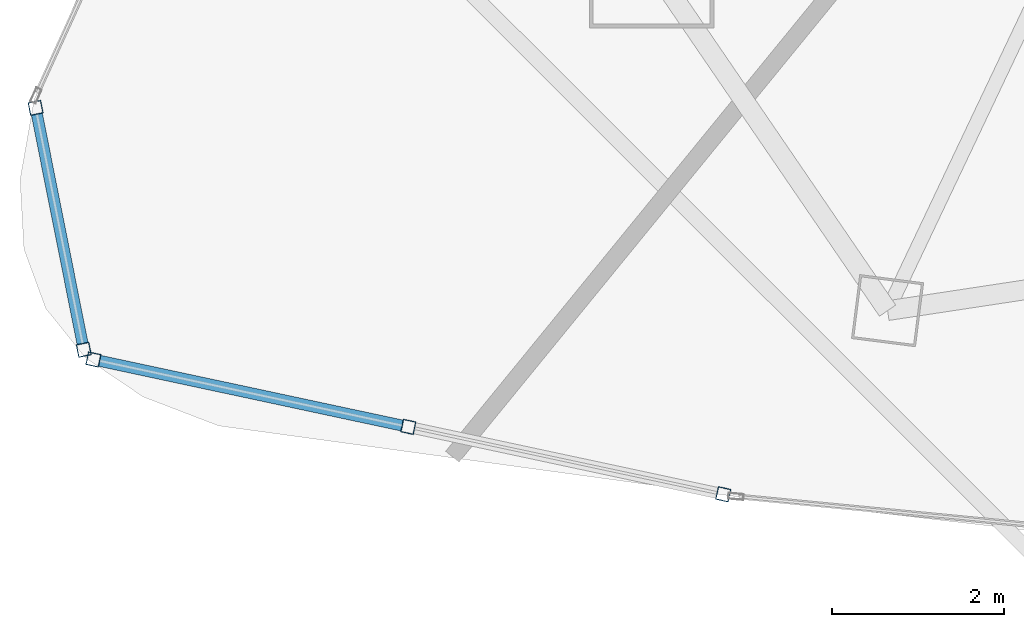
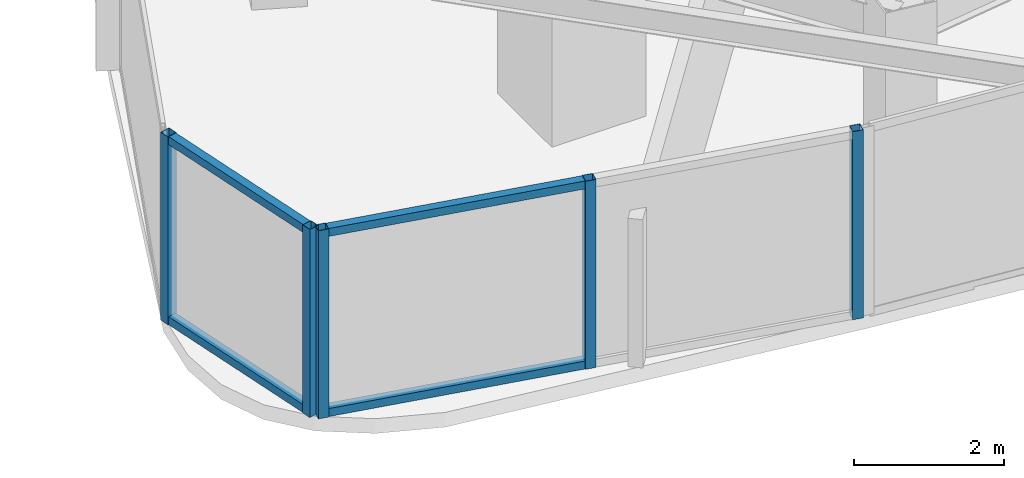
# One storey, part 2 of 33: 9 members, 2 elements without a shape of their own.
"""IFC4 building model written with IfcOpenShell, lengths in metres."""

from ifc_helpers import new_model, si_unit, direction, frame, origin, origin_2d, place, context, subcontext, project, spatial, hollow_rectangle, extrude, material, layer, layer_set, material_profile, profile_set, type_object, element, aggregate, save


model = new_model("IFC4")

# Units and contexts
model_context = context("Model", 3, precision=1e-05, world=origin(), true_north=direction((0.0, 1.0)))
body_context = subcontext(model_context, "Body", "Model", "MODEL_VIEW")
ifc_project = project(units=[si_unit("LENGTHUNIT", "METRE"), si_unit("AREAUNIT", "SQUARE_METRE"), si_unit("VOLUMEUNIT", "CUBIC_METRE"), si_unit("PLANEANGLEUNIT", "RADIAN"), si_unit("MASSUNIT", "GRAM", prefix="KILO")], contexts=[model_context])

# Site, building, storey
site_placement = place(None, origin())
site = spatial("IfcSite", under=ifc_project, at=site_placement, CompositionType="ELEMENT")
building_placement = place(site_placement, origin())
building = spatial("IfcBuilding", under=site, at=building_placement, Name="Orvanel Arch Residences", CompositionType="ELEMENT")
storey_placement = place(building_placement, frame((0.0, 0.0, 119.89990234375)))
storey = spatial("IfcBuildingStorey", under=building, at=storey_placement, Name="L33", CompositionType="ELEMENT", Elevation=119.89990234375)

# Curtain wall, members
ifc_material = material(Name="Bronze-anodised aluminium AA6063-T6", Category="aluminium")
ifc_layer = layer(ifc_material, 0.18994140625)
ifc_layer_set = layer_set([ifc_layer], Name="Bronze-anodised aluminium AA6063-T6")
curtain_wall_type = type_object("IfcCurtainWallType", Name="CW5-CRN-SYS", PredefinedType="NOTDEFINED", material=ifc_layer_set)
curtain_wall_1_placement = place(storey_placement, origin())
curtain_wall_1 = element("IfcCurtainWall", 1, at=curtain_wall_1_placement, inside=storey, type_object=curtain_wall_type, Name="L33 CW5-CRN-SYS Unitised Curtain Wall", PredefinedType="NOTDEFINED")
ifc_material_profile_1 = material_profile(ifc_material, hollow_rectangle(XDim=0.14990234375, YDim=0.14990234375, WallThickness=0.0048828125, at=origin_2d()), Name="ALU150x150x5")
ifc_profile_set_1 = profile_set([ifc_material_profile_1], Name="Bronze-anodised aluminium AA6063-T6")
member_type_1 = type_object("IfcMemberType", Name="MUL-150x150", PredefinedType="MULLION", material=ifc_profile_set_1)
member_1_placement = place(storey_placement, frame((7.03857421875, 8.695556640625, 0.0), z_axis=(0.0, 0.0, 1.0), x_axis=(0.98074610394, 0.195287172151, 0.0)))
member_1 = element("IfcMember", 2, at=member_1_placement, type_object=member_type_1, Name="CW-S5 mullion 1", PredefinedType="MULLION", context=body_context, shape_type="SweptSolid", body=[
    extrude(hollow_rectangle(XDim=0.14990234375, YDim=0.14990234375, WallThickness=0.0048828125, at=origin_2d()), origin(), (0.0, 0.0, 1.0), 3.06005859375),
])
member_2_placement = place(storey_placement, frame((7.598388671875, 5.884521484375, 0.0), z_axis=(0.0, 0.0, 1.0), x_axis=(0.98074610394, 0.195287172151, 0.0)))
member_2 = element("IfcMember", 3, at=member_2_placement, type_object=member_type_1, Name="CW-S5 mullion 2", PredefinedType="MULLION", context=body_context, shape_type="SweptSolid", body=[
    extrude(hollow_rectangle(XDim=0.14990234375, YDim=0.14990234375, WallThickness=0.0048828125, at=origin_2d()), origin(), (0.0, 0.0, 1.0), 3.06005859375),
])

curtain_wall_2_placement = place(storey_placement, origin())
curtain_wall_2 = element("IfcCurtainWall", 4, at=curtain_wall_2_placement, inside=storey, type_object=curtain_wall_type, Name="L33 CW5-CRN-SYS Unitised Curtain Wall", PredefinedType="NOTDEFINED")
member_3_placement = place(storey_placement, frame((7.71044921875, 5.771240234375, 0.0), z_axis=(0.0, 0.0, 1.0), x_axis=(0.20926972208, 0.977857956669, 0.0)))
member_3 = element("IfcMember", 5, at=member_3_placement, type_object=member_type_1, Name="CW-S5 mullion 1", PredefinedType="MULLION", context=body_context, shape_type="SweptSolid", body=[
    extrude(hollow_rectangle(XDim=0.14990234375, YDim=0.14990234375, WallThickness=0.0048828125, at=origin_2d()), origin(), (0.0, 0.0, 1.0), 3.06005859375),
])
member_4_placement = place(storey_placement, frame((11.37060546875, 4.988037109375, 0.0), z_axis=(0.0, 0.0, 1.0), x_axis=(0.20926972208, 0.977857956669, 0.0)))
member_4 = element("IfcMember", 6, at=member_4_placement, type_object=member_type_1, Name="CW-S5 mullion 2", PredefinedType="MULLION", context=body_context, shape_type="SweptSolid", body=[
    extrude(hollow_rectangle(XDim=0.14990234375, YDim=0.14990234375, WallThickness=0.0048828125, at=origin_2d()), origin(), (0.0, 0.0, 1.0), 3.06005859375),
])
member_5_placement = place(storey_placement, frame((15.03076171875, 4.20458984375, 0.0), z_axis=(0.0, 0.0, 1.0), x_axis=(0.20926972208, 0.977857956669, 0.0)))
member_5 = element("IfcMember", 7, at=member_5_placement, type_object=member_type_1, Name="CW-S5 mullion 3", PredefinedType="MULLION", context=body_context, shape_type="SweptSolid", body=[
    extrude(hollow_rectangle(XDim=0.14990234375, YDim=0.14990234375, WallThickness=0.0048828125, at=origin_2d()), origin(), (0.0, 0.0, 1.0), 3.06005859375),
])

# Member
ifc_material_profile_2 = material_profile(ifc_material, hollow_rectangle(XDim=0.1298828125, YDim=0.1298828125, WallThickness=0.00439453125, at=origin_2d()), Name="ALU130x130x4.5")
ifc_profile_set_2 = profile_set([ifc_material_profile_2], Name="Bronze-anodised aluminium AA6063-T6")
member_type_2 = type_object("IfcMemberType", Name="TRN-130x130", PredefinedType="USERDEFINED", material=ifc_profile_set_2)
member_6_placement = place(storey_placement, frame((7.05322265625, 8.621826171875, 0.065185546875), z_axis=(0.195320930761, -0.980739381287, 0.0), x_axis=(0.980739381287, 0.195320930761, 0.0)))
member_6 = element("IfcMember", 8, at=member_6_placement, type_object=member_type_2, Name="CW-S5 transom 1.1", ObjectType="TRANSOM", PredefinedType="USERDEFINED", context=body_context, shape_type="SweptSolid", body=[
    extrude(hollow_rectangle(XDim=0.1298828125, YDim=0.1298828125, WallThickness=0.00439453125, at=origin_2d()), origin(), (0.0, 0.0, 1.0), 2.716064453125),
])

member_7_placement = place(storey_placement, frame((7.05322265625, 8.621826171875, 2.9951171875), z_axis=(0.195320930761, -0.980739381287, 0.0), x_axis=(0.980739381287, 0.195320930761, 0.0)))
member_7 = element("IfcMember", 9, at=member_7_placement, type_object=member_type_2, Name="CW-S5 transom 1.2", ObjectType="TRANSOM", PredefinedType="USERDEFINED", context=body_context, shape_type="SweptSolid", body=[
    extrude(hollow_rectangle(XDim=0.1298828125, YDim=0.1298828125, WallThickness=0.00439453125, at=origin_2d()), origin(), (0.0, 0.0, 1.0), 2.716064453125),
])

aggregate(curtain_wall_1, [member_1, member_2, member_6, member_7])

member_8_placement = place(storey_placement, frame((7.78369140625, 5.755615234375, 0.065185546875), z_axis=(0.97785508511, -0.209283139611, 0.0), x_axis=(0.209283139611, 0.97785508511, 0.0)))
member_8 = element("IfcMember", 10, at=member_8_placement, type_object=member_type_2, Name="CW-S5 transom 1.1", ObjectType="TRANSOM", PredefinedType="USERDEFINED", context=body_context, shape_type="SweptSolid", body=[
    extrude(hollow_rectangle(XDim=0.1298828125, YDim=0.1298828125, WallThickness=0.00439453125, at=origin_2d()), origin(), (0.0, 0.0, 1.0), 3.593017578125),
])

member_9_placement = place(storey_placement, frame((7.78369140625, 5.755615234375, 2.9951171875), z_axis=(0.97785508511, -0.209283139611, 0.0), x_axis=(0.209283139611, 0.97785508511, 0.0)))
member_9 = element("IfcMember", 11, at=member_9_placement, type_object=member_type_2, Name="CW-S5 transom 1.2", ObjectType="TRANSOM", PredefinedType="USERDEFINED", context=body_context, shape_type="SweptSolid", body=[
    extrude(hollow_rectangle(XDim=0.1298828125, YDim=0.1298828125, WallThickness=0.00439453125, at=origin_2d()), origin(), (0.0, 0.0, 1.0), 3.593017578125),
])

aggregate(curtain_wall_2, [member_3, member_4, member_5, member_8, member_9])

save(model, "model.ifc")
